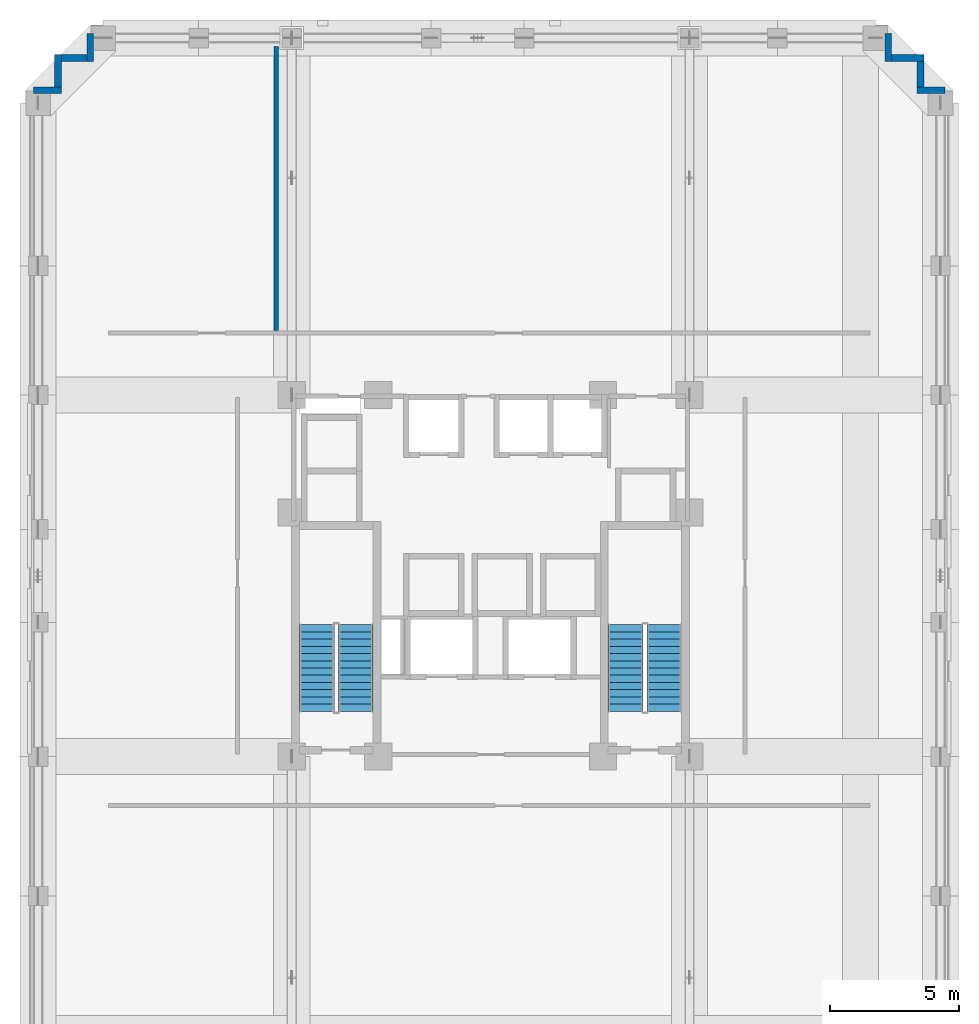
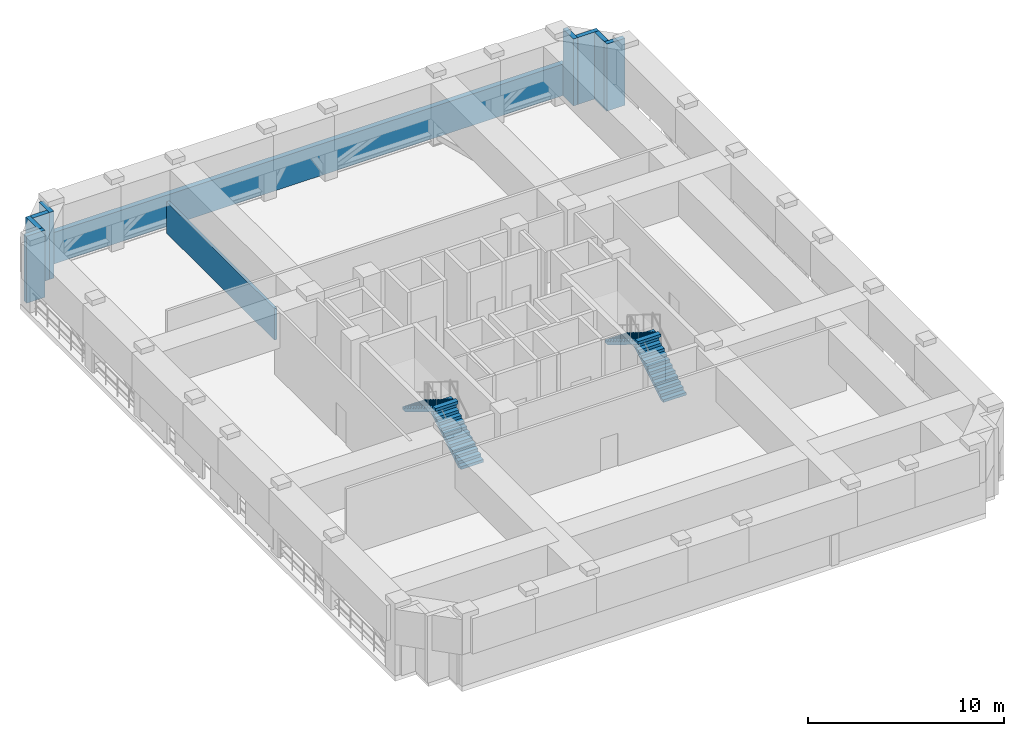
# One storey, part 5 of 11: 10 walls, 4 stair flights, 2 elements without a shape of their own.
"""IFC4 building model written with IfcOpenShell, lengths in metres."""

from ifc_helpers import new_model, si_unit, derived_unit, direction, frame, frame_2d, origin, place, context, subcontext, project, spatial, polyline, rectangle, outline, extrude, material, layer, layer_set, type_object, element, aggregate, save


model = new_model("IFC4")

# Units and contexts
model_context = context("Model", 3, precision=1e-05, world=origin(), true_north=direction((0.0, 1.0)))
body_context = subcontext(model_context, "Body", "Model", "MODEL_VIEW")
ifc_project = project(units=[si_unit("LENGTHUNIT", "METRE"), si_unit("AREAUNIT", "SQUARE_METRE"), si_unit("VOLUMEUNIT", "CUBIC_METRE"), si_unit("PLANEANGLEUNIT", "RADIAN"), si_unit("MASSUNIT", "GRAM", prefix="KILO"), derived_unit("THERMALTRANSMITTANCEUNIT", [(si_unit("MASSUNIT", "GRAM", prefix="KILO"), 1), (si_unit("TIMEUNIT", "SECOND"), -3), (si_unit("THERMODYNAMICTEMPERATUREUNIT", "KELVIN"), -1)])], contexts=[model_context])

# Site, building, storey
site_placement = place(None, origin())
site = spatial("IfcSite", under=ifc_project, at=site_placement, CompositionType="ELEMENT")
building_placement = place(site_placement, origin())
building = spatial("IfcBuilding", under=site, at=building_placement, Name="Korrvale Station Residences", CompositionType="ELEMENT")
storey_placement = place(building_placement, frame((0.0, 0.0, 119.89990234375)))
storey = spatial("IfcBuildingStorey", under=building, at=storey_placement, Name="L34", CompositionType="ELEMENT", Elevation=119.89990234375)

# Walls
ifc_material_1 = material(Name="Precast concrete C45/55", Category="concrete")
ifc_layer_1 = layer(ifc_material_1, 0.260009765625, Name="Precast concrete C45/55")
ifc_layer_set_1 = layer_set([ifc_layer_1], Name="Precast concrete C45/55")
wall_type_1 = type_object("IfcWallType", Name="WAL-EXT-LOG260", PredefinedType="SOLIDWALL", material=ifc_layer_set_1)
wall_1_placement = place(storey_placement, frame((7.802001953125, 40.800048828125, 0.0), z_axis=(0.0, 0.0, 1.0), x_axis=(1.0, 0.0, 0.0)))
element("IfcWall", 1, at=wall_1_placement, inside=storey, type_object=wall_type_1, Name="L34 Serrated Corner Precast Step NW-1", PredefinedType="SOLIDWALL", context=body_context, shape_type="SweptSolid", body=[
    extrude(rectangle(XDim=1.077880859375, YDim=0.260009765625, at=frame_2d((0.5390625, 0.0))), origin(), (0.0, 0.0, 1.0), 4.18017578125),
])
wall_2_placement = place(storey_placement, frame((8.75, 40.931884765625, 0.0), z_axis=(0.0, 0.0, 1.0), x_axis=(0.0, 1.0, 0.0)))
element("IfcWall", 2, at=wall_2_placement, inside=storey, type_object=wall_type_1, Name="L34 Serrated Corner Precast Step NW-2", PredefinedType="SOLIDWALL", context=body_context, shape_type="SweptSolid", body=[
    extrude(rectangle(XDim=1.248046875, YDim=0.260009765625, at=frame_2d((0.6240234375, 0.0))), origin(), (0.0, 0.0, 1.0), 4.18017578125),
])
wall_3_placement = place(storey_placement, frame((8.882080078125, 42.050048828125, 0.0), z_axis=(0.0, 0.0, 1.0), x_axis=(1.0, 0.0, 0.0)))
element("IfcWall", 3, at=wall_3_placement, inside=storey, type_object=wall_type_1, Name="L34 Serrated Corner Precast Step NW-3", PredefinedType="SOLIDWALL", context=body_context, shape_type="SweptSolid", body=[
    extrude(rectangle(XDim=0.98583984375, YDim=0.260009765625, at=frame_2d((0.492919921875, 0.0))), origin(), (0.0, 0.0, 1.0), 4.18017578125),
])
for number, where, z_axis, x_axis, name in (
    (4, (10.0, 41.919921875, 0.0), (0.0, 0.0, 1.0), (0.0, 1.0, 0.0), "L34 Serrated Corner Precast Step NW-4"),
    (5, (40.89990234375, 42.998046875, 0.0), (0.0, 0.0, 1.0), (0.0, -1.0, 0.0), "L34 Serrated Corner Precast Step NE-1"),
):
    element("IfcWall", number, at=place(storey_placement, frame(where, z_axis=z_axis, x_axis=x_axis)), inside=storey, type_object=wall_type_1, Name=name, PredefinedType="SOLIDWALL", context=body_context, shape_type="SweptSolid", body=[
        extrude(rectangle(XDim=1.078125, YDim=0.260009765625, at=frame_2d((0.5390625, 0.0))), origin(), (0.0, 0.0, 1.0), 4.18017578125),
    ])
wall_4_placement = place(storey_placement, frame((41.031982421875, 42.050048828125, 0.0), z_axis=(0.0, 0.0, 1.0), x_axis=(1.0, 0.0, 0.0)))
element("IfcWall", 6, at=wall_4_placement, inside=storey, type_object=wall_type_1, Name="L34 Serrated Corner Precast Step NE-2", PredefinedType="SOLIDWALL", context=body_context, shape_type="SweptSolid", body=[
    extrude(rectangle(XDim=1.248046875, YDim=0.260009765625, at=frame_2d((0.6240234375, 0.0))), origin(), (0.0, 0.0, 1.0), 4.18017578125),
])
wall_5_placement = place(storey_placement, frame((42.14990234375, 41.91796875, 0.0), z_axis=(0.0, 0.0, 1.0), x_axis=(0.0, -1.0, 0.0)))
element("IfcWall", 7, at=wall_5_placement, inside=storey, type_object=wall_type_1, Name="L34 Serrated Corner Precast Step NE-3", PredefinedType="SOLIDWALL", context=body_context, shape_type="SweptSolid", body=[
    extrude(rectangle(XDim=0.986083984375, YDim=0.260009765625, at=frame_2d((0.4931640625, 0.0))), origin(), (0.0, 0.0, 1.0), 4.18017578125),
])
wall_6_placement = place(storey_placement, frame((42.02001953125, 40.800048828125, 0.0), z_axis=(0.0, 0.0, 1.0), x_axis=(1.0, 0.0, 0.0)))
element("IfcWall", 8, at=wall_6_placement, inside=storey, type_object=wall_type_1, Name="L34 Serrated Corner Precast Step NE-4", PredefinedType="SOLIDWALL", context=body_context, shape_type="SweptSolid", body=[
    extrude(rectangle(XDim=1.077880859375, YDim=0.260009765625, at=frame_2d((0.5390625, 0.0))), origin(), (0.0, 0.0, 1.0), 4.18017578125),
])
ifc_layer_2 = layer(ifc_material_1, 0.300048828125, Name="Precast concrete C45/55")
ifc_layer_set_2 = layer_set([ifc_layer_2], Name="Precast concrete C45/55")
wall_type_2 = type_object("IfcWallType", Name="WAL-EXT-PC300", PredefinedType="SOLIDWALL", material=ifc_layer_set_2)
wall_7_placement = place(storey_placement, frame((10.0, 43.14990234375, 0.0), z_axis=(0.0, 0.0, 1.0), x_axis=(1.0, 0.0, 0.0)))
element("IfcWall", 9, at=wall_7_placement, inside=storey, type_object=wall_type_2, Name="L34 North Exterior Precast Wall 1", PredefinedType="SOLIDWALL", context=body_context, shape_type="SweptSolid", body=[
    extrude(rectangle(XDim=30.89990234375, YDim=0.300048828125, at=frame_2d((15.449951171875, 0.0))), origin(), (0.0, 0.0, 1.0), 1.965087890625),
])
ifc_material_2 = material(Name="Fire-rated twin-stud gypsum and mineral wool shaftwall assembly", Category="gypsum")
ifc_layer_3 = layer(ifc_material_2, 0.159912109375, Name="Fire-rated twin-stud gypsum and mineral wool shaftwall assembly")
ifc_layer_set_3 = layer_set([ifc_layer_3], Name="Fire-rated twin-stud gypsum and mineral wool shaftwall assembly")
wall_type_3 = type_object("IfcWallType", Name="WAL-PART-200", PredefinedType="PARTITIONING", material=ifc_layer_set_3)
wall_8_placement = place(storey_placement, frame((17.199951171875, 31.5, 0.0), z_axis=(0.0, 0.0, 1.0), x_axis=(0.0, 1.0, 0.0)))
element("IfcWall", 10, at=wall_8_placement, inside=storey, type_object=wall_type_3, Name="L34 Interior Partition W-RM", PredefinedType="PARTITIONING", context=body_context, shape_type="SweptSolid", body=[
    extrude(rectangle(XDim=11.0, YDim=0.159912109375, at=frame_2d((5.5, 0.0))), origin(), (0.0, 0.0, 1.0), 1.965087890625),
])

# Stair, stair flights
ifc_material_3 = material(Name="Concrete C50/60", Category="concrete")
stair_type = type_object("IfcStairType", Name="STR-DL-1350-26R-1731", PredefinedType="HALF_TURN_STAIR", material=ifc_material_3)
stair_1_placement = place(storey_placement, origin())
stair_1 = element("IfcStair", 11, at=stair_1_placement, inside=storey, type_object=stair_type, Name="L34 Exit Stair 1", PredefinedType="HALF_TURN_STAIR")
stair_flight_type = type_object("IfcStairFlightType", Name="FLT-DL-1350-26R-1731", PredefinedType="STRAIGHT", material=ifc_material_3)
stair_flight_1_placement = place(storey_placement, frame((20.27490234375, 16.75, 0.0), z_axis=(0.0, 0.0, 1.0), x_axis=(0.0, 1.0, 0.0)))
stair_flight_1 = element("IfcStairFlight", 12, at=stair_flight_1_placement, type_object=stair_flight_type, Name="ST-1 flight 1", NumberOfRisers=13, NumberOfTreads=12, PredefinedType="STRAIGHT", RiserHeight=0.173076923, TreadLength=0.28, context=body_context, shape_type="SweptSolid", body=[
    extrude(outline(polyline([(0.0, 0.0), (0.0, 0.173095703125), (0.280029296875, 0.173095703125), (0.280029296875, 0.34619140625), (0.56005859375, 0.34619140625), (0.56005859375, 0.519287109375), (0.840087890625, 0.519287109375), (0.840087890625, 0.6923828125), (1.1201171875, 0.6923828125), (1.1201171875, 0.865478515625), (1.39990234375, 0.865478515625), (1.39990234375, 1.03857421875), (1.679931640625, 1.03857421875), (1.679931640625, 1.21142578125), (1.9599609375, 1.21142578125), (1.9599609375, 1.384521484375), (2.239990234375, 1.384521484375), (2.239990234375, 1.5576171875), (2.52001953125, 1.5576171875), (2.52001953125, 1.730712890625), (2.800048828125, 1.730712890625), (2.800048828125, 1.90380859375), (3.080078125, 1.90380859375), (3.080078125, 2.076904296875), (3.360107421875, 2.076904296875), (3.360107421875, 2.25), (3.360107421875, 1.900634765625), (0.28515625, 0.0), (0.0, 0.0)])), frame((0.0, 0.675048828125, 0.0), z_axis=(0.0, -1.0, 0.0), x_axis=(1.0, 0.0, 0.0)), (0.0, 0.0, 1.0), 1.35009765625),
])
stair_flight_2_placement = place(storey_placement, frame((18.77490234375, 20.110107421875, 2.25), z_axis=(0.0, 0.0, 1.0), x_axis=(0.0, -1.0, 0.0)))
stair_flight_2 = element("IfcStairFlight", 13, at=stair_flight_2_placement, type_object=stair_flight_type, Name="ST-1 flight 2", NumberOfRisers=13, NumberOfTreads=12, PredefinedType="STRAIGHT", RiserHeight=0.173076923, TreadLength=0.28, context=body_context, shape_type="SweptSolid", body=[
    extrude(outline(polyline([(0.0, 0.0), (0.0, 0.173095703125), (0.280029296875, 0.173095703125), (0.280029296875, 0.34619140625), (0.56005859375, 0.34619140625), (0.56005859375, 0.519287109375), (0.840087890625, 0.519287109375), (0.840087890625, 0.6923828125), (1.1201171875, 0.6923828125), (1.1201171875, 0.865478515625), (1.39990234375, 0.865478515625), (1.39990234375, 1.03857421875), (1.679931640625, 1.03857421875), (1.679931640625, 1.21142578125), (1.9599609375, 1.21142578125), (1.9599609375, 1.384521484375), (2.239990234375, 1.384521484375), (2.239990234375, 1.5576171875), (2.52001953125, 1.5576171875), (2.52001953125, 1.730712890625), (2.800048828125, 1.730712890625), (2.800048828125, 1.90380859375), (3.080078125, 1.90380859375), (3.080078125, 2.076904296875), (3.360107421875, 2.076904296875), (3.360107421875, 2.25), (3.360107421875, 1.900634765625), (0.28515625, 0.0), (0.0, 0.0)])), frame((0.0, 0.675048828125, 0.0), z_axis=(0.0, -1.0, 0.0), x_axis=(1.0, 0.0, 0.0)), (0.0, 0.0, 1.0), 1.35009765625),
])
aggregate(stair_1, [stair_flight_1, stair_flight_2])

stair_2_placement = place(storey_placement, origin())
stair_2 = element("IfcStair", 14, at=stair_2_placement, inside=storey, type_object=stair_type, Name="L34 Exit Stair 2", PredefinedType="HALF_TURN_STAIR")
stair_flight_3_placement = place(storey_placement, frame((32.22509765625, 16.75, 0.0), z_axis=(0.0, 0.0, 1.0), x_axis=(0.0, 1.0, 0.0)))
stair_flight_3 = element("IfcStairFlight", 15, at=stair_flight_3_placement, type_object=stair_flight_type, Name="ST-2 flight 1", NumberOfRisers=13, NumberOfTreads=12, PredefinedType="STRAIGHT", RiserHeight=0.173076923, TreadLength=0.28, context=body_context, shape_type="SweptSolid", body=[
    extrude(outline(polyline([(0.0, 0.0), (0.0, 0.173095703125), (0.280029296875, 0.173095703125), (0.280029296875, 0.34619140625), (0.56005859375, 0.34619140625), (0.56005859375, 0.519287109375), (0.840087890625, 0.519287109375), (0.840087890625, 0.6923828125), (1.1201171875, 0.6923828125), (1.1201171875, 0.865478515625), (1.39990234375, 0.865478515625), (1.39990234375, 1.03857421875), (1.679931640625, 1.03857421875), (1.679931640625, 1.21142578125), (1.9599609375, 1.21142578125), (1.9599609375, 1.384521484375), (2.239990234375, 1.384521484375), (2.239990234375, 1.5576171875), (2.52001953125, 1.5576171875), (2.52001953125, 1.730712890625), (2.800048828125, 1.730712890625), (2.800048828125, 1.90380859375), (3.080078125, 1.90380859375), (3.080078125, 2.076904296875), (3.360107421875, 2.076904296875), (3.360107421875, 2.25), (3.360107421875, 1.900634765625), (0.28515625, 0.0), (0.0, 0.0)])), frame((0.0, 0.675048828125, 0.0), z_axis=(0.0, -1.0, 0.0), x_axis=(1.0, 0.0, 0.0)), (0.0, 0.0, 1.0), 1.35009765625),
])
stair_flight_4_placement = place(storey_placement, frame((30.72509765625, 20.110107421875, 2.25), z_axis=(0.0, 0.0, 1.0), x_axis=(0.0, -1.0, 0.0)))
stair_flight_4 = element("IfcStairFlight", 16, at=stair_flight_4_placement, type_object=stair_flight_type, Name="ST-2 flight 2", NumberOfRisers=13, NumberOfTreads=12, PredefinedType="STRAIGHT", RiserHeight=0.173076923, TreadLength=0.28, context=body_context, shape_type="SweptSolid", body=[
    extrude(outline(polyline([(0.0, 0.0), (0.0, 0.173095703125), (0.280029296875, 0.173095703125), (0.280029296875, 0.34619140625), (0.56005859375, 0.34619140625), (0.56005859375, 0.519287109375), (0.840087890625, 0.519287109375), (0.840087890625, 0.6923828125), (1.1201171875, 0.6923828125), (1.1201171875, 0.865478515625), (1.39990234375, 0.865478515625), (1.39990234375, 1.03857421875), (1.679931640625, 1.03857421875), (1.679931640625, 1.21142578125), (1.9599609375, 1.21142578125), (1.9599609375, 1.384521484375), (2.239990234375, 1.384521484375), (2.239990234375, 1.5576171875), (2.52001953125, 1.5576171875), (2.52001953125, 1.730712890625), (2.800048828125, 1.730712890625), (2.800048828125, 1.90380859375), (3.080078125, 1.90380859375), (3.080078125, 2.076904296875), (3.360107421875, 2.076904296875), (3.360107421875, 2.25), (3.360107421875, 1.900634765625), (0.28515625, 0.0), (0.0, 0.0)])), frame((0.0, 0.675048828125, 0.0), z_axis=(0.0, -1.0, 0.0), x_axis=(1.0, 0.0, 0.0)), (0.0, 0.0, 1.0), 1.35009765625),
])
aggregate(stair_2, [stair_flight_3, stair_flight_4])

save(model, "model.ifc")
